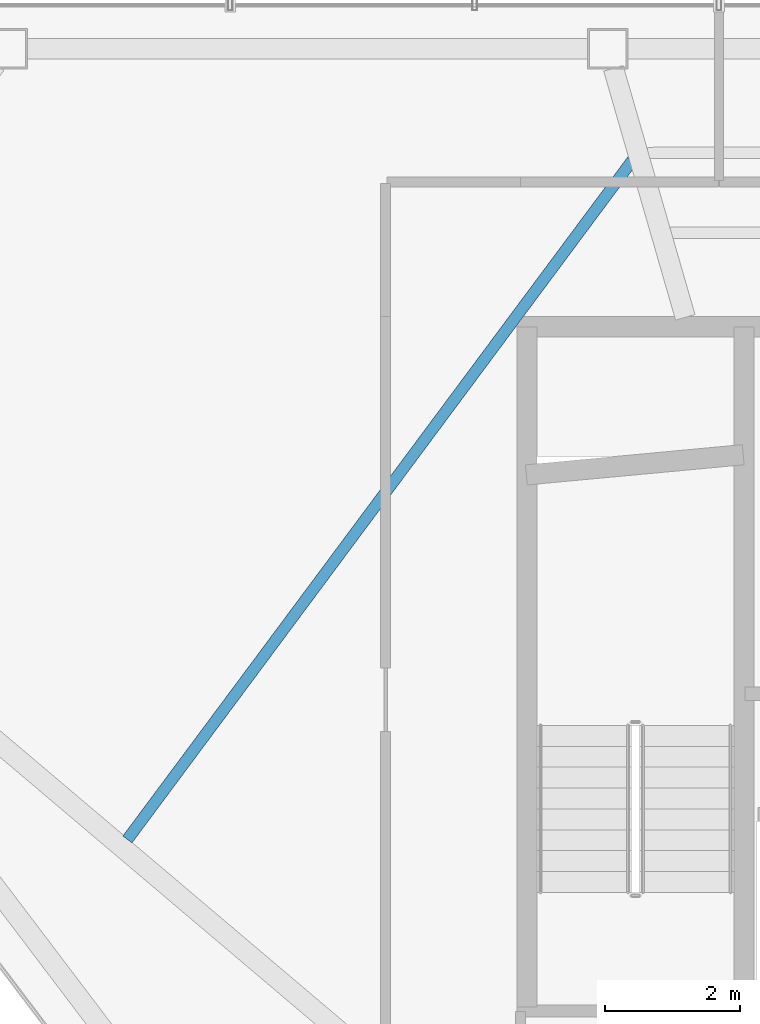
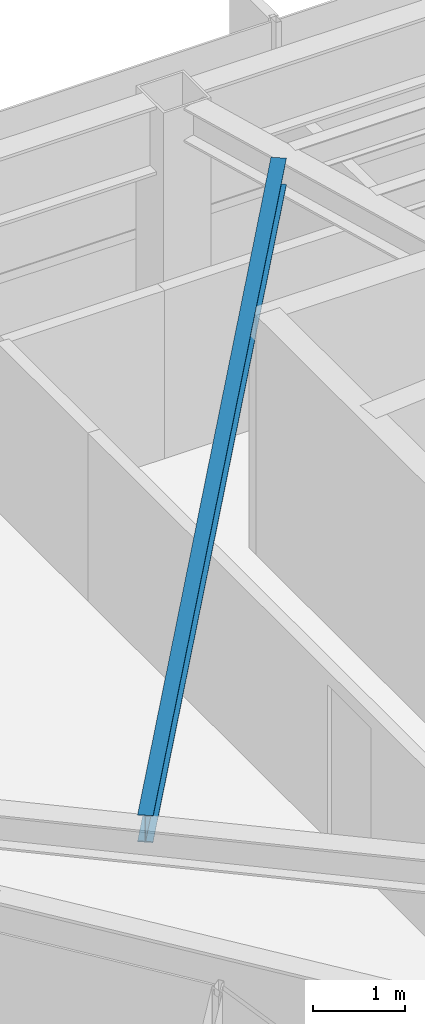
# One storey, part 11 of 27: 1 beam.
"""IFC4 building model written with IfcOpenShell, lengths in metres."""

from ifc_helpers import new_model, si_unit, direction, frame, origin, origin_2d, place, context, subcontext, project, spatial, i_section, extrude, material, material_profile, profile_set, type_object, element, save


model = new_model("IFC4")

# Units and contexts
model_context = context("Model", 3, precision=1e-05, world=origin(), true_north=direction((0.0, 1.0)))
body_context = subcontext(model_context, "Body", "Model", "MODEL_VIEW")
ifc_project = project(units=[si_unit("LENGTHUNIT", "METRE"), si_unit("AREAUNIT", "SQUARE_METRE"), si_unit("VOLUMEUNIT", "CUBIC_METRE"), si_unit("PLANEANGLEUNIT", "RADIAN"), si_unit("MASSUNIT", "GRAM", prefix="KILO")], contexts=[model_context])

# Site, building, storey
site_placement = place(None, origin())
site = spatial("IfcSite", under=ifc_project, at=site_placement, CompositionType="ELEMENT")
building_placement = place(site_placement, origin())
building = spatial("IfcBuilding", under=site, at=building_placement, Name="Zarrinselat Tower", CompositionType="ELEMENT")
storey_placement = place(building_placement, frame((0.0, 0.0, 232.56005859375)))
storey = spatial("IfcBuildingStorey", under=building, at=storey_placement, Name="L58", CompositionType="ELEMENT", Elevation=232.56005859375)

# Beam
ifc_material = material(Name="Steel S355J2", Category="steel")
ifc_material_profile = material_profile(ifc_material, i_section(OverallWidth=0.169921875, OverallDepth=0.360107421875, WebThickness=0.008056640625, FlangeThickness=0.0126953125, at=origin_2d()), Name="IPE 360")
ifc_profile_set = profile_set([ifc_material_profile], Name="Steel S355J2")
beam_type = type_object("IfcBeamType", Name="BM-IPE360", PredefinedType="JOIST", material=ifc_profile_set)
beam_placement = place(storey_placement, frame((22.714599609375, 35.7861328125, 3.0), z_axis=(0.59672426262, 0.802446356089, 0.0), x_axis=(-0.802446356089, 0.59672426262, 0.0)))
element("IfcBeam", 1, at=beam_placement, inside=storey, type_object=beam_type, Name="L58 Composite Floor Joist 9-1", PredefinedType="JOIST", context=body_context, shape_type="SweptSolid", body=[
    extrude(i_section(OverallWidth=0.169921875, OverallDepth=0.360107421875, WebThickness=0.008056640625, FlangeThickness=0.0126953125, at=origin_2d()), origin(), (0.0, 0.0, 1.0), 12.564208984375),
])

save(model, "model.ifc")
